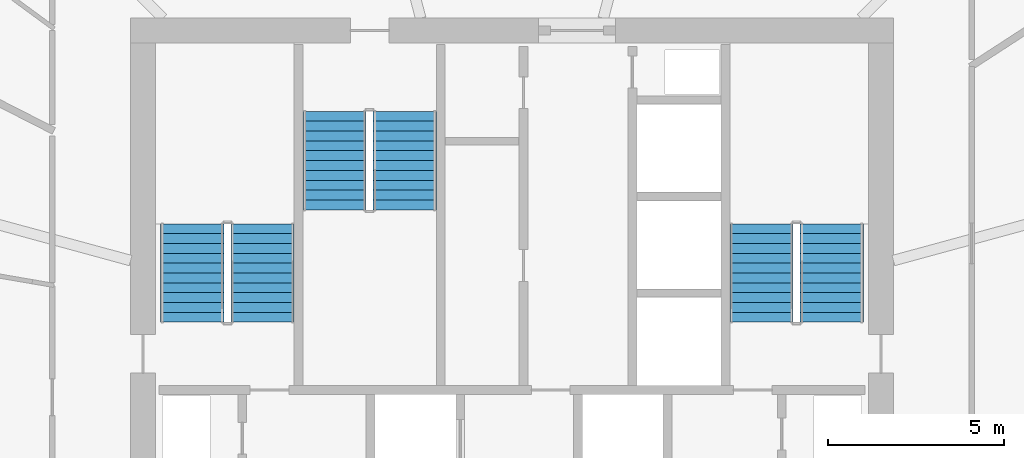
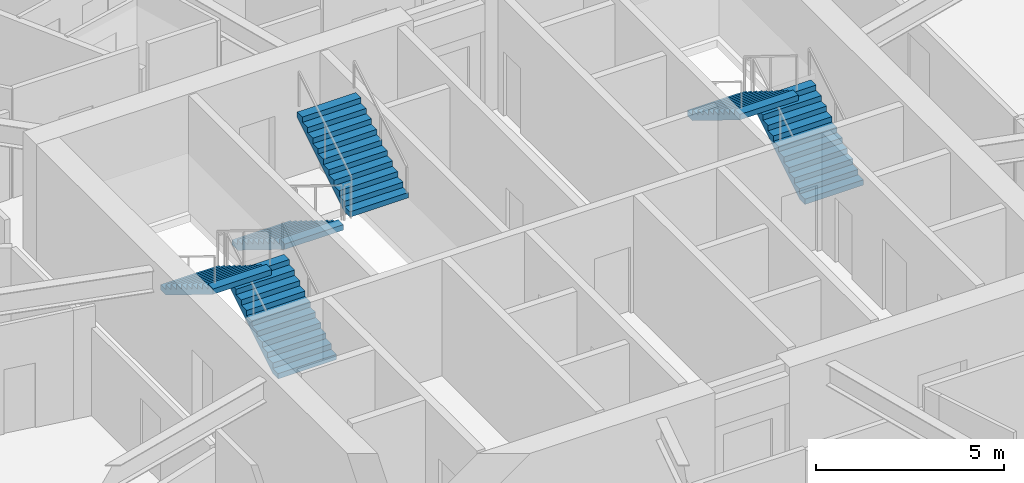
# One storey, part 32 of 35: 6 stair flights, 3 elements without a shape of their own.
"""IFC4 building model written with IfcOpenShell, lengths in metres."""

from ifc_helpers import new_model, si_unit, direction, frame, origin, place, context, subcontext, project, spatial, polyline, outline, extrude, material, type_object, element, aggregate, save


model = new_model("IFC4")

# Units and contexts
model_context = context("Model", 3, precision=1e-05, world=origin(), true_north=direction((0.0, 1.0)))
body_context = subcontext(model_context, "Body", "Model", "MODEL_VIEW")
ifc_project = project(units=[si_unit("LENGTHUNIT", "METRE"), si_unit("AREAUNIT", "SQUARE_METRE"), si_unit("VOLUMEUNIT", "CUBIC_METRE"), si_unit("PLANEANGLEUNIT", "RADIAN"), si_unit("MASSUNIT", "GRAM", prefix="KILO")], contexts=[model_context])

# Site, building, storey
site_placement = place(None, origin())
site = spatial("IfcSite", under=ifc_project, at=site_placement, CompositionType="ELEMENT")
building_placement = place(site_placement, origin())
building = spatial("IfcBuilding", under=site, at=building_placement, Name="Zuhravey Tower", CompositionType="ELEMENT")
storey_placement = place(building_placement, frame((0.0, 0.0, 115.199951171875)))
storey = spatial("IfcBuildingStorey", under=building, at=storey_placement, Name="L28", CompositionType="ELEMENT", Elevation=115.199951171875)

# Stair, stair flights
ifc_material = material(Name="Concrete C40/50", Category="concrete")
stair_type = type_object("IfcStairType", Name="Housing Storey Stair Assembly 3800", PredefinedType="HALF_TURN_STAIR", material=ifc_material)
stair_1_placement = place(storey_placement, origin())
stair_1 = element("IfcStair", 1, at=stair_1_placement, inside=storey, type_object=stair_type, Name="L28 Core Exit Stair ST1", PredefinedType="HALF_TURN_STAIR")
stair_flight_type = type_object("IfcStairFlightType", Name="Housing Storey Stair Flight 3800", PredefinedType="STRAIGHT", material=ifc_material)
stair_flight_1_placement = place(storey_placement, frame((28.89990234375, 33.199951171875, 0.0), z_axis=(0.0, 0.0, 1.0), x_axis=(0.0, 1.0, 0.0)))
stair_flight_1 = element("IfcStairFlight", 2, at=stair_flight_1_placement, type_object=stair_flight_type, Name="ST1 flight 1", NumberOfRisers=11, NumberOfTreads=10, PredefinedType="STRAIGHT", RiserHeight=0.172727273, TreadLength=0.28, context=body_context, shape_type="SweptSolid", body=[
    extrude(outline(polyline([(0.0, 0.0), (0.0, 0.172607421875), (0.280029296875, 0.172607421875), (0.280029296875, 0.345458984375), (0.56005859375, 0.345458984375), (0.56005859375, 0.51806640625), (0.840087890625, 0.51806640625), (0.840087890625, 0.69091796875), (1.1201171875, 0.69091796875), (1.1201171875, 0.863525390625), (1.39990234375, 0.863525390625), (1.39990234375, 1.036376953125), (1.679931640625, 1.036376953125), (1.679931640625, 1.208984375), (1.9599609375, 1.208984375), (1.9599609375, 1.3818359375), (2.239990234375, 1.3818359375), (2.239990234375, 1.554443359375), (2.52001953125, 1.554443359375), (2.52001953125, 1.727294921875), (2.800048828125, 1.727294921875), (2.800048828125, 1.89990234375), (2.800048828125, 1.551025390625), (0.285400390625, 0.0), (0.0, 0.0)])), frame((0.0, 0.89990234375, 0.0), z_axis=(0.0, -1.0, 0.0), x_axis=(1.0, 0.0, 0.0)), (0.0, 0.0, 1.0), 1.800048828125),
])
stair_flight_2_placement = place(storey_placement, frame((26.89990234375, 36.0, 1.900146484375), z_axis=(0.0, 0.0, 1.0), x_axis=(0.0, -1.0, 0.0)))
stair_flight_2 = element("IfcStairFlight", 3, at=stair_flight_2_placement, type_object=stair_flight_type, Name="ST1 flight 2", NumberOfRisers=11, NumberOfTreads=10, PredefinedType="STRAIGHT", RiserHeight=0.172727273, TreadLength=0.28, context=body_context, shape_type="SweptSolid", body=[
    extrude(outline(polyline([(0.0, 0.0), (0.0, 0.172607421875), (0.280029296875, 0.172607421875), (0.280029296875, 0.345458984375), (0.56005859375, 0.345458984375), (0.56005859375, 0.51806640625), (0.840087890625, 0.51806640625), (0.840087890625, 0.69091796875), (1.1201171875, 0.69091796875), (1.1201171875, 0.863525390625), (1.39990234375, 0.863525390625), (1.39990234375, 1.036376953125), (1.679931640625, 1.036376953125), (1.679931640625, 1.208984375), (1.9599609375, 1.208984375), (1.9599609375, 1.3818359375), (2.239990234375, 1.3818359375), (2.239990234375, 1.554443359375), (2.52001953125, 1.554443359375), (2.52001953125, 1.727294921875), (2.800048828125, 1.727294921875), (2.800048828125, 1.89990234375), (2.800048828125, 1.551025390625), (0.285400390625, 0.0), (0.0, 0.0)])), frame((0.0, 0.89990234375, 0.0), z_axis=(0.0, -1.0, 0.0), x_axis=(1.0, 0.0, 0.0)), (0.0, 0.0, 1.0), 1.800048828125),
])
aggregate(stair_1, [stair_flight_1, stair_flight_2])

stair_2_placement = place(storey_placement, origin())
stair_2 = element("IfcStair", 4, at=stair_2_placement, inside=storey, type_object=stair_type, Name="L28 Core Exit Stair ST2", PredefinedType="HALF_TURN_STAIR")
stair_flight_3_placement = place(storey_placement, frame((45.10009765625, 33.199951171875, 0.0), z_axis=(0.0, 0.0, 1.0), x_axis=(0.0, 1.0, 0.0)))
stair_flight_3 = element("IfcStairFlight", 5, at=stair_flight_3_placement, type_object=stair_flight_type, Name="ST2 flight 1", NumberOfRisers=11, NumberOfTreads=10, PredefinedType="STRAIGHT", RiserHeight=0.172727273, TreadLength=0.28, context=body_context, shape_type="SweptSolid", body=[
    extrude(outline(polyline([(0.0, 0.0), (0.0, 0.172607421875), (0.280029296875, 0.172607421875), (0.280029296875, 0.345458984375), (0.56005859375, 0.345458984375), (0.56005859375, 0.51806640625), (0.840087890625, 0.51806640625), (0.840087890625, 0.69091796875), (1.1201171875, 0.69091796875), (1.1201171875, 0.863525390625), (1.39990234375, 0.863525390625), (1.39990234375, 1.036376953125), (1.679931640625, 1.036376953125), (1.679931640625, 1.208984375), (1.9599609375, 1.208984375), (1.9599609375, 1.3818359375), (2.239990234375, 1.3818359375), (2.239990234375, 1.554443359375), (2.52001953125, 1.554443359375), (2.52001953125, 1.727294921875), (2.800048828125, 1.727294921875), (2.800048828125, 1.89990234375), (2.800048828125, 1.551025390625), (0.285400390625, 0.0), (0.0, 0.0)])), frame((0.0, 0.89990234375, 0.0), z_axis=(0.0, -1.0, 0.0), x_axis=(1.0, 0.0, 0.0)), (0.0, 0.0, 1.0), 1.800048828125),
])
stair_flight_4_placement = place(storey_placement, frame((43.10009765625, 36.0, 1.900146484375), z_axis=(0.0, 0.0, 1.0), x_axis=(0.0, -1.0, 0.0)))
stair_flight_4 = element("IfcStairFlight", 6, at=stair_flight_4_placement, type_object=stair_flight_type, Name="ST2 flight 2", NumberOfRisers=11, NumberOfTreads=10, PredefinedType="STRAIGHT", RiserHeight=0.172727273, TreadLength=0.28, context=body_context, shape_type="SweptSolid", body=[
    extrude(outline(polyline([(0.0, 0.0), (0.0, 0.172607421875), (0.280029296875, 0.172607421875), (0.280029296875, 0.345458984375), (0.56005859375, 0.345458984375), (0.56005859375, 0.51806640625), (0.840087890625, 0.51806640625), (0.840087890625, 0.69091796875), (1.1201171875, 0.69091796875), (1.1201171875, 0.863525390625), (1.39990234375, 0.863525390625), (1.39990234375, 1.036376953125), (1.679931640625, 1.036376953125), (1.679931640625, 1.208984375), (1.9599609375, 1.208984375), (1.9599609375, 1.3818359375), (2.239990234375, 1.3818359375), (2.239990234375, 1.554443359375), (2.52001953125, 1.554443359375), (2.52001953125, 1.727294921875), (2.800048828125, 1.727294921875), (2.800048828125, 1.89990234375), (2.800048828125, 1.551025390625), (0.285400390625, 0.0), (0.0, 0.0)])), frame((0.0, 0.89990234375, 0.0), z_axis=(0.0, -1.0, 0.0), x_axis=(1.0, 0.0, 0.0)), (0.0, 0.0, 1.0), 1.800048828125),
])
aggregate(stair_2, [stair_flight_3, stair_flight_4])

stair_3_placement = place(storey_placement, origin())
stair_3 = element("IfcStair", 7, at=stair_3_placement, inside=storey, type_object=stair_type, Name="L28 Core Exit Stair ST3", PredefinedType="HALF_TURN_STAIR")
stair_flight_5_placement = place(storey_placement, frame((30.949951171875, 39.199951171875, 0.0), z_axis=(0.0, 0.0, 1.0), x_axis=(0.0, -1.0, 0.0)))
stair_flight_5 = element("IfcStairFlight", 8, at=stair_flight_5_placement, type_object=stair_flight_type, Name="ST3 flight 1", NumberOfRisers=11, NumberOfTreads=10, PredefinedType="STRAIGHT", RiserHeight=0.172727273, TreadLength=0.28, context=body_context, shape_type="SweptSolid", body=[
    extrude(outline(polyline([(0.0, 0.0), (0.0, 0.172607421875), (0.280029296875, 0.172607421875), (0.280029296875, 0.345458984375), (0.56005859375, 0.345458984375), (0.56005859375, 0.51806640625), (0.840087890625, 0.51806640625), (0.840087890625, 0.69091796875), (1.1201171875, 0.69091796875), (1.1201171875, 0.863525390625), (1.39990234375, 0.863525390625), (1.39990234375, 1.036376953125), (1.679931640625, 1.036376953125), (1.679931640625, 1.208984375), (1.9599609375, 1.208984375), (1.9599609375, 1.3818359375), (2.239990234375, 1.3818359375), (2.239990234375, 1.554443359375), (2.52001953125, 1.554443359375), (2.52001953125, 1.727294921875), (2.800048828125, 1.727294921875), (2.800048828125, 1.89990234375), (2.800048828125, 1.551025390625), (0.285400390625, 0.0), (0.0, 0.0)])), frame((0.0, 0.89990234375, 0.0), z_axis=(0.0, -1.0, 0.0), x_axis=(1.0, 0.0, 0.0)), (0.0, 0.0, 1.0), 1.800048828125),
])
stair_flight_6_placement = place(storey_placement, frame((32.949951171875, 36.39990234375, 1.900146484375), z_axis=(0.0, 0.0, 1.0), x_axis=(0.0, 1.0, 0.0)))
stair_flight_6 = element("IfcStairFlight", 9, at=stair_flight_6_placement, type_object=stair_flight_type, Name="ST3 flight 2", NumberOfRisers=11, NumberOfTreads=10, PredefinedType="STRAIGHT", RiserHeight=0.172727273, TreadLength=0.28, context=body_context, shape_type="SweptSolid", body=[
    extrude(outline(polyline([(0.0, 0.0), (0.0, 0.172607421875), (0.280029296875, 0.172607421875), (0.280029296875, 0.345458984375), (0.56005859375, 0.345458984375), (0.56005859375, 0.51806640625), (0.840087890625, 0.51806640625), (0.840087890625, 0.69091796875), (1.1201171875, 0.69091796875), (1.1201171875, 0.863525390625), (1.39990234375, 0.863525390625), (1.39990234375, 1.036376953125), (1.679931640625, 1.036376953125), (1.679931640625, 1.208984375), (1.9599609375, 1.208984375), (1.9599609375, 1.3818359375), (2.239990234375, 1.3818359375), (2.239990234375, 1.554443359375), (2.52001953125, 1.554443359375), (2.52001953125, 1.727294921875), (2.800048828125, 1.727294921875), (2.800048828125, 1.89990234375), (2.800048828125, 1.551025390625), (0.285400390625, 0.0), (0.0, 0.0)])), frame((0.0, 0.89990234375, 0.0), z_axis=(0.0, -1.0, 0.0), x_axis=(1.0, 0.0, 0.0)), (0.0, 0.0, 1.0), 1.800048828125),
])
aggregate(stair_3, [stair_flight_5, stair_flight_6])

save(model, "model.ifc")
